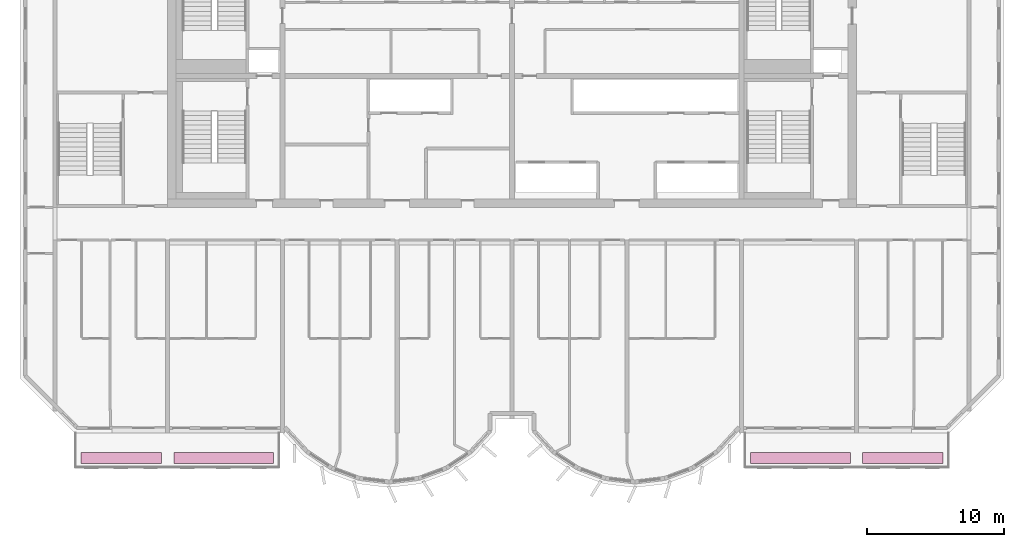
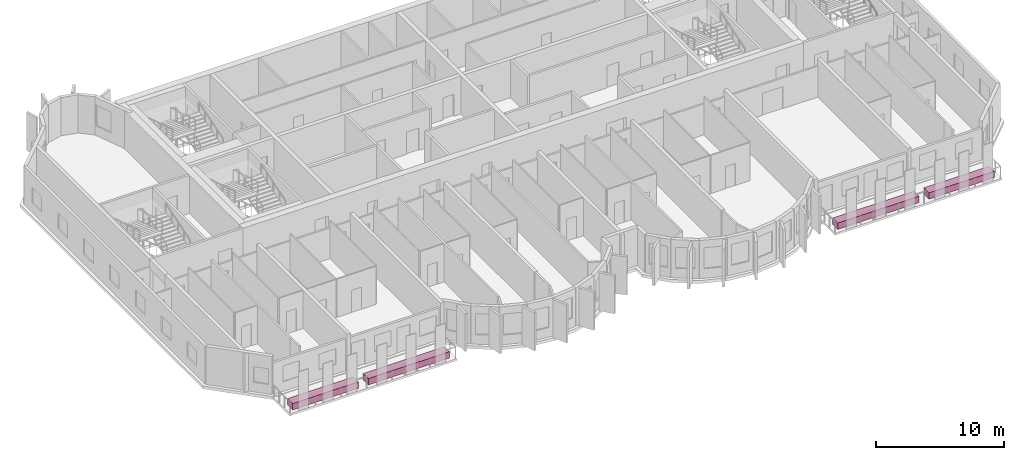
# One storey, part 11 of 11: 4 furniture elements.
"""IFC4 building model written with IfcOpenShell, lengths in metres."""

from ifc_helpers import new_model, si_unit, direction, frame, origin, origin_2d, place, context, subcontext, project, spatial, rectangle, extrude, source, transform, mapped, material, type_object, element, save


model = new_model("IFC4")

# Units and contexts
model_context = context("Model", 3, precision=1e-05, world=origin(), true_north=direction((0.0, 1.0)))
body_context = subcontext(model_context, "Body", "Model", "MODEL_VIEW")
ifc_project = project(units=[si_unit("LENGTHUNIT", "METRE"), si_unit("AREAUNIT", "SQUARE_METRE"), si_unit("VOLUMEUNIT", "CUBIC_METRE"), si_unit("PLANEANGLEUNIT", "RADIAN"), si_unit("MASSUNIT", "GRAM", prefix="KILO")], contexts=[model_context])

# Site, building, storey
site_placement = place(None, origin())
site = spatial("IfcSite", under=ifc_project, at=site_placement, CompositionType="ELEMENT")
building_placement = place(site_placement, origin())
building = spatial("IfcBuilding", under=site, at=building_placement, Name="Vanashikhar Sky Hotel", CompositionType="ELEMENT")
storey_placement = place(building_placement, frame((0.0, 0.0, 233.5)))
storey = spatial("IfcBuildingStorey", under=building, at=storey_placement, Name="L56", CompositionType="ELEMENT", Elevation=233.5)

# Furniture
ifc_material = material(Name="Planting soil and shrubs")
furniture_type = type_object("IfcFurnitureType", Name="Planter trough", AssemblyPlace="NOTDEFINED", PredefinedType="USERDEFINED", material=ifc_material)
shared_shape_1 = source(origin(), body_context, "Body", "SweptSolid", [
    extrude(rectangle(XDim=7.300048828125, YDim=0.800048828125, at=origin_2d()), origin(), (0.0, 0.0, 1.0), 0.60009765625),
])
for number, where, z_axis, x_axis, name in (
    (1, (29.300048828125, 3.64990234375, -0.050048828125), (0.0, 0.0, 1.0), (1.0, 0.0, 0.0), "PLANTER with climbers"),
    (2, (71.5, 3.64990234375, -0.050048828125), (0.0, 0.0, 1.0), (1.0, 0.0, 0.0), "PLANTER with climbers"),
):
    element("IfcFurniture", number, at=place(storey_placement, frame(where, z_axis=z_axis, x_axis=x_axis)), inside=storey, type_object=furniture_type, Name=name, ObjectType="PLANTER", PredefinedType="USERDEFINED", context=body_context, shape_type="MappedRepresentation", body=[
        mapped(shared_shape_1, transform((0.0, 0.0, 0.0), scale=1.0)),
    ])
shared_shape_2 = source(origin(), body_context, "Body", "SweptSolid", [
    extrude(rectangle(XDim=5.89990234375, YDim=0.800048828125, at=origin_2d()), origin(), (0.0, 0.0, 1.0), 0.60009765625),
])
for number, where, z_axis, x_axis, name in (
    (3, (21.800048828125, 3.64990234375, -0.050048828125), (0.0, 0.0, 1.0), (1.0, 0.0, 0.0), "PLANTER with climbers"),
    (4, (79.0, 3.64990234375, -0.050048828125), (0.0, 0.0, 1.0), (1.0, 0.0, 0.0), "PLANTER with climbers"),
):
    element("IfcFurniture", number, at=place(storey_placement, frame(where, z_axis=z_axis, x_axis=x_axis)), inside=storey, type_object=furniture_type, Name=name, ObjectType="PLANTER", PredefinedType="USERDEFINED", context=body_context, shape_type="MappedRepresentation", body=[
        mapped(shared_shape_2, transform((0.0, 0.0, 0.0), scale=1.0)),
    ])

save(model, "model.ifc")
